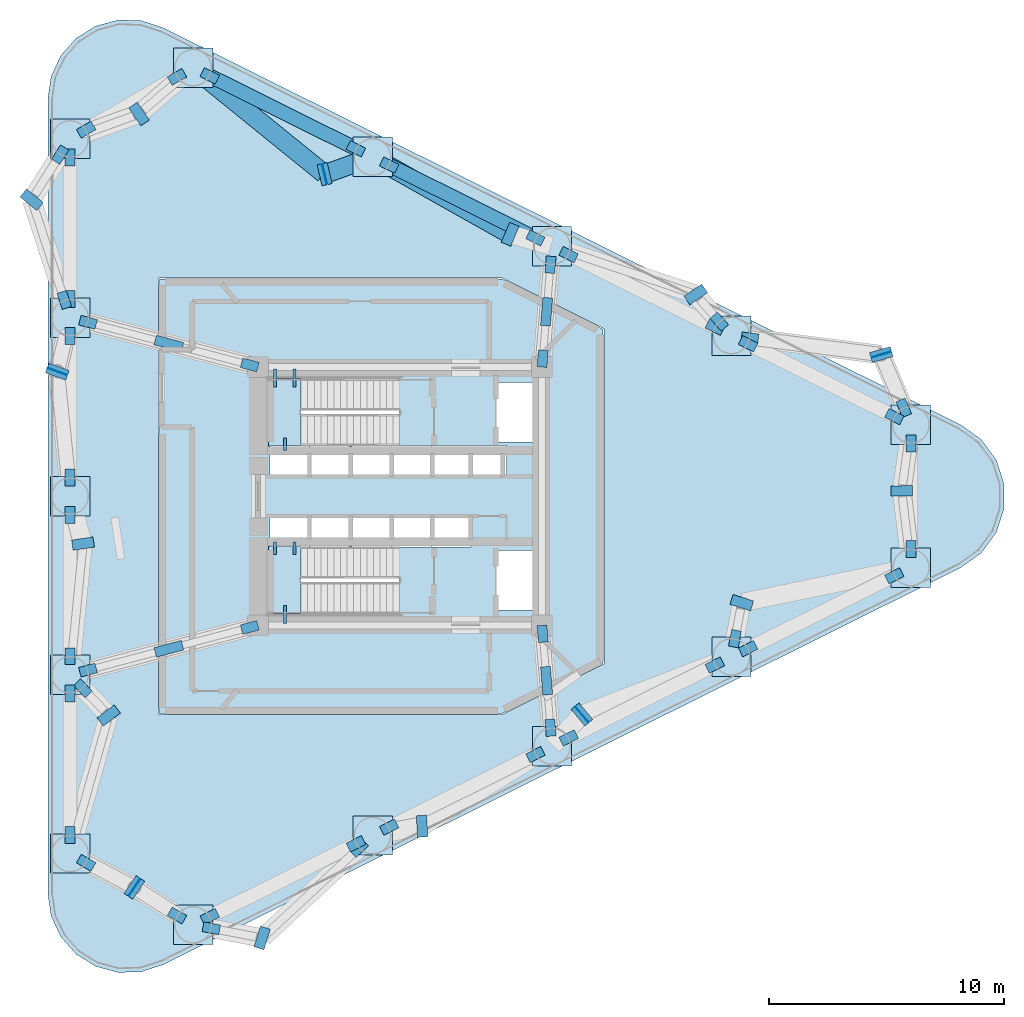
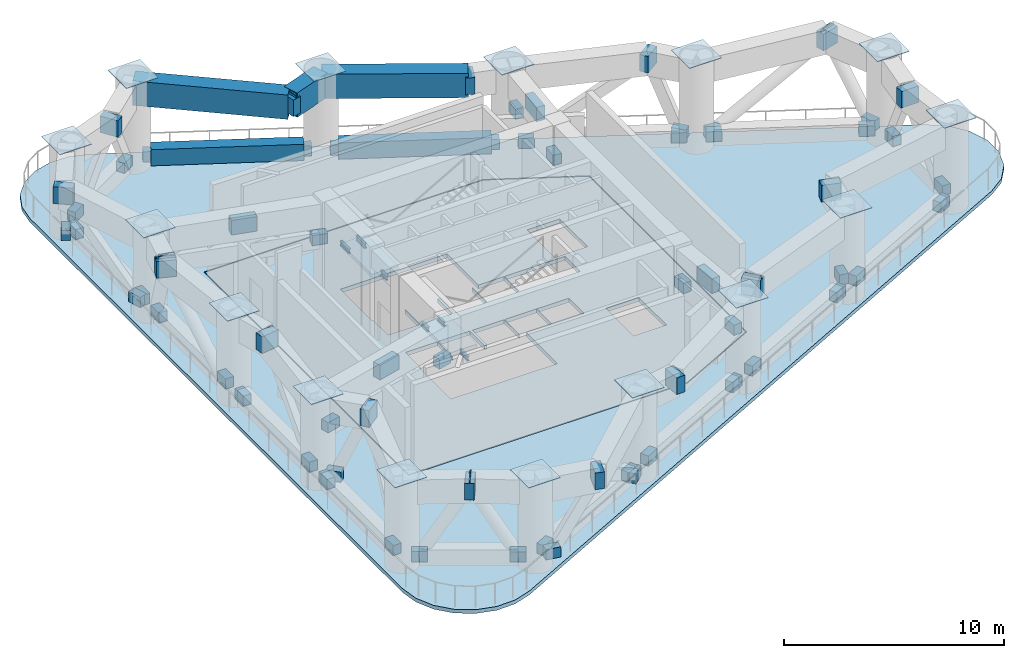
# One storey, part 3 of 8: 86 plates, 9 beams, 4 slabs, 2 members, 2 elements without a shape of their own.
"""IFC4 building model written with IfcOpenShell, lengths in metres."""

from ifc_helpers import new_model, si_unit, direction, frame, origin, origin_2d, place, context, subcontext, project, spatial, polyline, rectangle, hollow_rectangle, i_section, outline, extrude, source, transform, mapped, material, layer, layer_set, material_profile, profile_set, type_object, element, aggregate, save


model = new_model("IFC4")

# Units and contexts
model_context = context("Model", 3, precision=1e-05, world=origin(), true_north=direction((0.0, 1.0)))
body_context = subcontext(model_context, "Body", "Model", "MODEL_VIEW")
ifc_project = project(units=[si_unit("LENGTHUNIT", "METRE"), si_unit("AREAUNIT", "SQUARE_METRE"), si_unit("VOLUMEUNIT", "CUBIC_METRE"), si_unit("PLANEANGLEUNIT", "RADIAN"), si_unit("MASSUNIT", "GRAM", prefix="KILO")], contexts=[model_context])

# Site, building, storey
site_placement = place(None, origin())
site = spatial("IfcSite", under=ifc_project, at=site_placement, CompositionType="ELEMENT")
building_placement = place(site_placement, origin())
building = spatial("IfcBuilding", under=site, at=building_placement, Name="Yunling Apex Tower", CompositionType="ELEMENT")
storey_placement = place(building_placement, frame((0.0, 0.0, 49.699951171875)))
storey = spatial("IfcBuildingStorey", under=building, at=storey_placement, Name="RF1", CompositionType="ELEMENT", Elevation=49.699951171875)

# Beams
ifc_material_1 = material(Name="Steel Q355B", Category="steel")
ifc_material_profile_1 = material_profile(ifc_material_1, i_section(OverallWidth=0.125, OverallDepth=0.25, WebThickness=0.006103515625, FlangeThickness=0.009033203125, FilletRadius=0.011962890625, at=origin_2d()))
ifc_profile_set_1 = profile_set([ifc_material_profile_1], Name="Steel Q355B")
beam_type_1 = type_object("IfcBeamType", Name="BL-LNT-1", PredefinedType="LINTEL", material=ifc_profile_set_1)
shared_shape_1 = source(origin(), body_context, "Body", "SweptSolid", [
    extrude(i_section(OverallWidth=0.125, OverallDepth=0.25, WebThickness=0.006103515625, FlangeThickness=0.009033203125, FilletRadius=0.011962890625, at=origin_2d()), origin(), (0.0, 0.0, 1.0), 0.760009765625),
])
for number, where, z_axis, x_axis, name in (
    (1, (-5.320068359375, 5.419921875, 2.22998046875), (0.0, -1.0, 0.0), (1.0, 0.0, 0.0), "RF1 ST-1 Landing Bearing Corbel 1-1"),
    (2, (-4.489990234375, 5.419921875, 2.22998046875), (0.0, -1.0, 0.0), (1.0, 0.0, 0.0), "RF1 ST-1 Landing Bearing Corbel 1-2"),
    (3, (-4.905029296875, -5.419921875, 2.22998046875), (0.0, 1.0, 0.0), (-1.0, 0.0, 0.0), "RF1 ST-2 Landing Bearing Corbel 1-3"),
):
    element("IfcBeam", number, at=place(storey_placement, frame(where, z_axis=z_axis, x_axis=x_axis)), inside=storey, type_object=beam_type_1, Name=name, PredefinedType="LINTEL", context=body_context, shape_type="MappedRepresentation", body=[
        mapped(shared_shape_1, transform((0.0, 0.0, 0.0), scale=1.0)),
    ])
shared_shape_2 = source(origin(), body_context, "Body", "SweptSolid", [
    extrude(i_section(OverallWidth=0.125, OverallDepth=0.25, WebThickness=0.006103515625, FlangeThickness=0.009033203125, FilletRadius=0.011962890625, at=origin_2d()), origin(), (0.0, 0.0, 1.0), 0.550048828125),
])
for number, where, z_axis, x_axis, name in (
    (4, (-4.905029296875, 1.93994140625, 2.22998046875), (0.0, 1.0, 0.0), (-1.0, 0.0, 0.0), "RF1 ST-1 Landing Bearing Corbel 1-3"),
    (5, (-5.320068359375, -1.93994140625, 2.22998046875), (0.0, -1.0, 0.0), (1.0, 0.0, 0.0), "RF1 ST-2 Landing Bearing Corbel 1-1"),
    (6, (-4.489990234375, -1.93994140625, 2.22998046875), (0.0, -1.0, 0.0), (1.0, 0.0, 0.0), "RF1 ST-2 Landing Bearing Corbel 1-2"),
):
    element("IfcBeam", number, at=place(storey_placement, frame(where, z_axis=z_axis, x_axis=x_axis)), inside=storey, type_object=beam_type_1, Name=name, PredefinedType="LINTEL", context=body_context, shape_type="MappedRepresentation", body=[
        mapped(shared_shape_2, transform((0.0, 0.0, 0.0), scale=1.0)),
    ])

# Members
ifc_material_2 = material(Name="Steel Q390GJC", Category="steel")
ifc_material_profile_2 = material_profile(ifc_material_2, hollow_rectangle(XDim=0.60009765625, YDim=0.89990234375, WallThickness=0.0419921875, at=origin_2d()))
ifc_profile_set_2 = profile_set([ifc_material_profile_2], Name="Steel Q390GJC")
member_type = type_object("IfcMemberType", Name="BT-CHD-1", PredefinedType="CHORD", material=ifc_profile_set_2)
shared_shape_3 = source(origin(), body_context, "Body", "SweptSolid", [
    extrude(hollow_rectangle(XDim=0.60009765625, YDim=0.89990234375, WallThickness=0.0419921875, at=origin_2d()), origin(), (0.0, 0.0, 1.0), 6.954833984375),
])
for number, where, z_axis, x_axis, name in (
    (7, (5.768310546875, 11.001220703125, 0.550048828125), (-0.895247106475, 0.445569992647, 0.0), (-0.445569992647, -0.895247106475, 0.0), "RF1 Belt-Truss Bottom Chord 8"),
    (8, (-1.876220703125, 14.805908203125, 0.550048828125), (-0.895247106475, 0.445569992647, 0.0), (-0.445569992647, -0.895247106475, 0.0), "RF1 Belt-Truss Bottom Chord 9"),
):
    element("IfcMember", number, at=place(storey_placement, frame(where, z_axis=z_axis, x_axis=x_axis)), inside=storey, type_object=member_type, Name=name, PredefinedType="CHORD", context=body_context, shape_type="MappedRepresentation", body=[
        mapped(shared_shape_3, transform((0.0, 0.0, 0.0), scale=1.0)),
    ])

# Beams
ifc_material_profile_3 = material_profile(ifc_material_2, hollow_rectangle(XDim=0.800048828125, YDim=1.35009765625, WallThickness=0.050048828125, at=origin_2d()))
ifc_profile_set_3 = profile_set([ifc_material_profile_3], Name="Steel Q390GJC")
beam_type_2 = type_object("IfcBeamType", Name="BTRNG-1", PredefinedType="USERDEFINED", material=ifc_profile_set_3)
shared_shape_4 = source(origin(), body_context, "Body", "SweptSolid", [
    extrude(hollow_rectangle(XDim=0.800048828125, YDim=1.35009765625, WallThickness=0.050048828125, at=origin_2d()), origin(), (0.0, 0.0, 1.0), 6.64501953125),
])
beam_1_placement = place(storey_placement, frame((4.659912109375, 11.176513671875, 4.239990234375), z_axis=(-0.871634403046, 0.490156574399, 0.0), x_axis=(-0.490156574399, -0.871634403046, 0.0)))
element("IfcBeam", 9, at=beam_1_placement, inside=storey, type_object=beam_type_2, Name="RF1 Panel-Split Box Ring Transfer Girder 21", ObjectType="GIRDER", PredefinedType="USERDEFINED", context=body_context, shape_type="MappedRepresentation", body=[
    mapped(shared_shape_4, transform((0.0, 0.0, 0.0), scale=1.0)),
])
shared_shape_5 = source(origin(), body_context, "Body", "SweptSolid", [
    extrude(hollow_rectangle(XDim=0.800048828125, YDim=1.35009765625, WallThickness=0.050048828125, at=origin_2d()), origin(), (0.0, 0.0, 1.0), 2.0908203125),
])
beam_2_placement = place(storey_placement, frame((-1.20458984375, 14.439697265625, 4.239990234375), z_axis=(-0.941082265332, -0.33817771937, 0.0), x_axis=(0.33817771937, -0.941082265332, 0.0)))
element("IfcBeam", 10, at=beam_2_placement, inside=storey, type_object=beam_type_2, Name="RF1 Panel-Split Box Ring Transfer Girder 22", ObjectType="GIRDER", PredefinedType="USERDEFINED", context=body_context, shape_type="MappedRepresentation", body=[
    mapped(shared_shape_5, transform((0.0, 0.0, 0.0), scale=1.0)),
])
shared_shape_6 = source(origin(), body_context, "Body", "SweptSolid", [
    extrude(hollow_rectangle(XDim=0.800048828125, YDim=1.35009765625, WallThickness=0.050048828125, at=origin_2d()), origin(), (0.0, 0.0, 1.0), 7.1298828125),
])
beam_3_placement = place(storey_placement, frame((-3.24072265625, 13.744384765625, 4.239990234375), z_axis=(-0.776992024757, 0.629510439519, 0.0), x_axis=(-0.629510439519, -0.776992024757, 0.0)))
element("IfcBeam", 11, at=beam_3_placement, inside=storey, type_object=beam_type_2, Name="RF1 Panel-Split Box Ring Transfer Girder 23", ObjectType="GIRDER", PredefinedType="USERDEFINED", context=body_context, shape_type="MappedRepresentation", body=[
    mapped(shared_shape_6, transform((0.0, 0.0, 0.0), scale=1.0)),
])

# Stair, slab
ifc_material_3 = material(Name="Concrete C40", Category="concrete")
stair_type = type_object("IfcStairType", Name="ST-TWR-1", PredefinedType="HALF_TURN_STAIR", material=ifc_material_3)
stair_1_placement = place(storey_placement, origin())
stair_1 = element("IfcStair", 12, at=stair_1_placement, inside=storey, type_object=stair_type, Name="RF1 North Core Smokeproof Exit Stair ST-1", PredefinedType="HALF_TURN_STAIR")
ifc_layer_1 = layer(ifc_material_3, 0.195068359375)
ifc_layer_set_1 = layer_set([ifc_layer_1], Name="Concrete C40")
slab_type_1 = type_object("IfcSlabType", Name="SL-LND-1", PredefinedType="LANDING", material=ifc_layer_set_1)
slab_1_placement = place(storey_placement, frame((0.0, 0.0, 2.35498046875)))
slab_1 = element("IfcSlab", 13, at=slab_1_placement, type_object=slab_type_1, Name="ST-1 landing 1", PredefinedType="LANDING", context=body_context, shape_type="SweptSolid", body=[
    extrude(outline(polyline([(-4.2099609375, 5.010009765625), (-5.60009765625, 5.010009765625), (-5.60009765625, 2.139892578125), (-4.2099609375, 2.139892578125), (-4.2099609375, 5.010009765625)])), origin(), (0.0, 0.0, 1.0), 0.195068359375),
])
aggregate(stair_1, [slab_1])

stair_2_placement = place(storey_placement, origin())
stair_2 = element("IfcStair", 14, at=stair_2_placement, inside=storey, type_object=stair_type, Name="RF1 South Core Smokeproof Exit Stair ST-2", PredefinedType="HALF_TURN_STAIR")
slab_2_placement = place(storey_placement, frame((0.0, 0.0, 2.35498046875)))
slab_2 = element("IfcSlab", 15, at=slab_2_placement, type_object=slab_type_1, Name="ST-2 landing 1", PredefinedType="LANDING", context=body_context, shape_type="SweptSolid", body=[
    extrude(outline(polyline([(-4.2099609375, -2.139892578125), (-5.60009765625, -2.139892578125), (-5.60009765625, -5.010009765625), (-4.2099609375, -5.010009765625), (-4.2099609375, -2.139892578125)])), origin(), (0.0, 0.0, 1.0), 0.195068359375),
])
aggregate(stair_2, [slab_2])

# Slabs
ifc_layer_2 = layer(ifc_material_3, 0.219970703125)
ifc_layer_set_2 = layer_set([ifc_layer_2], Name="Concrete C40")
slab_type_2 = type_object("IfcSlabType", Name="SL-RFG-1", PredefinedType="FLOOR", material=ifc_layer_set_2)
slab_3_placement = place(storey_placement, frame((0.0, 0.0, -0.219970703125)))
element("IfcSlab", 16, at=slab_3_placement, inside=storey, type_object=slab_type_2, Name="RF1 Mechanical & Belt-Truss Interior Slab", PredefinedType="FLOOR", context=body_context, shape_type="SweptSolid", body=[
    extrude(outline(polyline([(8.64990234375, 7.109619140625), (4.349365234375, 9.25), (-10.25, 9.25), (-10.25, -9.25), (4.349365234375, -9.25), (8.64990234375, -7.109619140625), (8.64990234375, 7.109619140625)]), holes=[polyline([(5.81005859375, -2.320068359375), (5.81005859375, -4.840087890625), (4.090087890625, -4.840087890625), (4.090087890625, -2.320068359375), (5.81005859375, -2.320068359375)]), polyline([(5.81005859375, 4.840087890625), (5.81005859375, 2.320068359375), (4.090087890625, 2.320068359375), (4.090087890625, 4.840087890625), (5.81005859375, 4.840087890625)]), polyline([(1.364990234375, 2.1650390625), (4.534912109375, 2.1650390625), (4.534912109375, 0.794921875), (1.364990234375, 0.794921875), (1.364990234375, 2.1650390625)]), polyline([(3.034912109375, -0.794921875), (3.034912109375, -2.1650390625), (1.364990234375, -2.1650390625), (1.364990234375, -0.794921875), (3.034912109375, -0.794921875)]), polyline([(-5.534912109375, -0.794921875), (-3.864990234375, -0.794921875), (-3.864990234375, -2.139892578125), (-3.8349609375, -2.139892578125), (-3.8349609375, -0.794921875), (-2.1650390625, -0.794921875), (-2.1650390625, -2.139892578125), (-2.034912109375, -2.139892578125), (-2.034912109375, -0.794921875), (-0.364990234375, -0.794921875), (-0.364990234375, -2.139892578125), (-0.3349609375, -2.139892578125), (-0.3349609375, -0.794921875), (1.3349609375, -0.794921875), (1.3349609375, -2.1650390625), (-0.010009765625, -2.1650390625), (-0.010009765625, -5.010009765625), (-5.60009765625, -5.010009765625), (-5.60009765625, -2.139892578125), (-5.534912109375, -2.139892578125), (-5.534912109375, -0.794921875)]), polyline([(-5.60009765625, 2.139892578125), (-5.60009765625, 5.010009765625), (-0.010009765625, 5.010009765625), (-0.010009765625, 2.1650390625), (1.3349609375, 2.1650390625), (1.3349609375, 0.794921875), (-0.3349609375, 0.794921875), (-0.3349609375, 2.139892578125), (-0.364990234375, 2.139892578125), (-0.364990234375, 0.794921875), (-2.034912109375, 0.794921875), (-2.034912109375, 2.139892578125), (-2.1650390625, 2.139892578125), (-2.1650390625, 0.794921875), (-3.8349609375, 0.794921875), (-3.8349609375, 2.139892578125), (-3.864990234375, 2.139892578125), (-3.864990234375, 0.794921875), (-5.534912109375, 0.794921875), (-5.534912109375, 2.139892578125), (-5.60009765625, 2.139892578125)])]), origin(), (0.0, 0.0, 1.0), 0.219970703125),
])
ifc_layer_3 = layer(ifc_material_3, 0.2099609375)
ifc_layer_set_3 = layer_set([ifc_layer_3], Name="Concrete C40")
slab_type_3 = type_object("IfcSlabType", Name="SL-RFG-EXT", PredefinedType="FLOOR", material=ifc_layer_set_3)
slab_4_placement = place(storey_placement, frame((0.0, 0.0, -0.2099609375)))
element("IfcSlab", 17, at=slab_4_placement, inside=storey, type_object=slab_type_3, Name="RF1 Open Refuge Perimeter Terrace Band", PredefinedType="FLOOR", context=body_context, shape_type="SweptSolid", body=[
    extrude(outline(polyline([(-15.001953125, -16.909912109375), (-14.859619140625, -17.88330078125), (-14.444580078125, -18.775390625), (-13.79150390625, -19.510986328125), (-12.955078125, -20.029052734375), (-12.00537109375, -20.285888671875), (-11.02197265625, -20.260009765625), (-10.0869140625, -19.953857421875), (23.88818359375, -3.043701171875), (24.76123046875, -2.42041015625), (25.396484375, -1.555908203125), (25.730712890625, -0.536376953125), (25.730712890625, 0.536376953125), (25.396484375, 1.555908203125), (24.76123046875, 2.42041015625), (23.88818359375, 3.043701171875), (-10.0869140625, 19.953857421875), (-11.02197265625, 20.260009765625), (-12.00537109375, 20.285888671875), (-12.955078125, 20.029052734375), (-13.79150390625, 19.510986328125), (-14.444580078125, 18.775390625), (-14.859619140625, 17.88330078125), (-15.001953125, 16.909912109375), (-15.001953125, -16.909912109375)]), holes=[polyline([(4.35888671875, -9.2900390625), (-10.2900390625, -9.2900390625), (-10.2900390625, 9.2900390625), (4.35888671875, 9.2900390625), (8.68994140625, 7.13427734375), (8.68994140625, -7.13427734375), (4.35888671875, -9.2900390625)])]), origin(), (0.0, 0.0, 1.0), 0.2099609375),
])

# Plates
ifc_layer_4 = layer(ifc_material_1, 0.030029296875)
ifc_layer_set_4 = layer_set([ifc_layer_4], Name="Steel Q355B")
plate_type_1 = type_object("IfcPlateType", Name="NP-CAP-1", PredefinedType="USERDEFINED", material=ifc_layer_set_4)
shared_shape_7 = source(origin(), body_context, "Body", "SweptSolid", [
    extrude(rectangle(XDim=1.679931640625, YDim=1.679931640625, at=origin_2d()), origin(), (0.0, 0.0, 1.0), 0.035888671875),
])
for number, where, z_axis, x_axis, name in (
    (18, (-8.8115234375, -18.2578125, 4.9970703125), (0.0, 0.0, 1.0), (1.0, 0.0, 0.0), "RF1 Lower-Block CFST Column Top Cap Plate P01"),
    (19, (-1.1669921875, -14.453125, 4.9970703125), (0.0, 0.0, 1.0), (1.0, 0.0, 0.0), "RF1 Lower-Block CFST Column Top Cap Plate P02"),
    (20, (6.477294921875, -10.648193359375, 4.9970703125), (0.0, 0.0, 1.0), (1.0, 0.0, 0.0), "RF1 Lower-Block CFST Column Top Cap Plate P03"),
    (21, (14.121826171875, -6.843505859375, 4.9970703125), (0.0, 0.0, 1.0), (1.0, 0.0, 0.0), "RF1 Lower-Block CFST Column Top Cap Plate P04"),
    (22, (21.76611328125, -3.038818359375, 4.9970703125), (0.0, 0.0, 1.0), (1.0, 0.0, 0.0), "RF1 Lower-Block CFST Column Top Cap Plate P05"),
    (23, (21.76611328125, 3.038818359375, 4.9970703125), (0.0, 0.0, 1.0), (1.0, 0.0, 0.0), "RF1 Lower-Block CFST Column Top Cap Plate P06"),
    (24, (14.121826171875, 6.843505859375, 4.9970703125), (0.0, 0.0, 1.0), (1.0, 0.0, 0.0), "RF1 Lower-Block CFST Column Top Cap Plate P07"),
    (25, (6.477294921875, 10.648193359375, 4.9970703125), (0.0, 0.0, 1.0), (1.0, 0.0, 0.0), "RF1 Lower-Block CFST Column Top Cap Plate P08"),
    (26, (-1.1669921875, 14.453125, 4.9970703125), (0.0, 0.0, 1.0), (1.0, 0.0, 0.0), "RF1 Lower-Block CFST Column Top Cap Plate P09"),
    (27, (-8.8115234375, 18.2578125, 4.9970703125), (0.0, 0.0, 1.0), (1.0, 0.0, 0.0), "RF1 Lower-Block CFST Column Top Cap Plate P10"),
    (28, (-14.052001953125, 15.218994140625, 4.9970703125), (0.0, 0.0, 1.0), (1.0, 0.0, 0.0), "RF1 Lower-Block CFST Column Top Cap Plate P11"),
    (29, (-14.052001953125, 7.609619140625, 4.9970703125), (0.0, 0.0, 1.0), (1.0, 0.0, 0.0), "RF1 Lower-Block CFST Column Top Cap Plate P12"),
    (30, (-14.052001953125, 0.0, 4.9970703125), (0.0, 0.0, 1.0), (1.0, 0.0, 0.0), "RF1 Lower-Block CFST Column Top Cap Plate P13"),
    (31, (-14.052001953125, -7.609619140625, 4.9970703125), (0.0, 0.0, 1.0), (1.0, 0.0, 0.0), "RF1 Lower-Block CFST Column Top Cap Plate P14"),
    (32, (-14.052001953125, -15.218994140625, 4.9970703125), (0.0, 0.0, 1.0), (1.0, 0.0, 0.0), "RF1 Lower-Block CFST Column Top Cap Plate P15"),
):
    element("IfcPlate", number, at=place(storey_placement, frame(where, z_axis=z_axis, x_axis=x_axis)), inside=storey, type_object=plate_type_1, Name=name, ObjectType="CAP_PLATE", PredefinedType="USERDEFINED", context=body_context, shape_type="MappedRepresentation", body=[
        mapped(shared_shape_7, transform((0.0, 0.0, 0.0), scale=1.0)),
    ])
ifc_layer_5 = layer(ifc_material_1, 0.035888671875)
ifc_layer_set_5 = layer_set([ifc_layer_5], Name="Steel Q355B")
plate_type_2 = type_object("IfcPlateType", Name="NP-GUS-1", PredefinedType="USERDEFINED", material=ifc_layer_set_5)
shared_shape_8 = source(origin(), body_context, "Body", "SweptSolid", [
    extrude(rectangle(XDim=0.719970703125, YDim=0.419921875, at=origin_2d()), origin(), (0.0, 0.0, 1.0), 0.56005859375),
])
for number, where, z_axis, x_axis, name in (
    (33, (-8.1025390625, -17.90478515625, 0.27001953125), (0.0, 0.0, 1.0), (0.895245648325, 0.445572922377, 0.0), "RF1 Belt Chord End Gusset Plate 1"),
    (34, (-1.876220703125, -14.805908203125, 0.27001953125), (0.0, 0.0, 1.0), (0.895245648325, 0.445572922377, 0.0), "RF1 Belt Chord End Gusset Plate 2"),
    (35, (-0.4580078125, -14.10009765625, 0.27001953125), (0.0, 0.0, 1.0), (0.895245648325, 0.445572922377, 0.0), "RF1 Belt Chord End Gusset Plate 3"),
    (36, (5.768310546875, -11.001220703125, 0.27001953125), (0.0, 0.0, 1.0), (0.895245648325, 0.445572922377, 0.0), "RF1 Belt Chord End Gusset Plate 4"),
    (37, (7.186279296875, -10.29541015625, 0.27001953125), (0.0, 0.0, 1.0), (0.895245648325, 0.445572922377, 0.0), "RF1 Belt Chord End Gusset Plate 5"),
    (38, (13.412841796875, -7.196533203125, 0.27001953125), (0.0, 0.0, 1.0), (0.895245648325, 0.445572922377, 0.0), "RF1 Belt Chord End Gusset Plate 6"),
    (39, (14.830810546875, -6.49072265625, 0.27001953125), (0.0, 0.0, 1.0), (0.895245648325, 0.445572922377, 0.0), "RF1 Belt Chord End Gusset Plate 7"),
    (40, (21.05712890625, -3.3916015625, 0.27001953125), (0.0, 0.0, 1.0), (0.895245648325, 0.445572922377, 0.0), "RF1 Belt Chord End Gusset Plate 8"),
    (41, (21.76611328125, -2.246826171875, 0.27001953125), (0.0, 0.0, 1.0), (0.0, 1.0, 0.0), "RF1 Belt Chord End Gusset Plate 9"),
    (42, (21.76611328125, 2.246826171875, 0.27001953125), (0.0, 0.0, 1.0), (0.0, 1.0, 0.0), "RF1 Belt Chord End Gusset Plate 10"),
    (43, (21.05712890625, 3.3916015625, 0.27001953125), (0.0, 0.0, 1.0), (-0.895245648325, 0.445572922377, 0.0), "RF1 Belt Chord End Gusset Plate 11"),
    (44, (14.830810546875, 6.49072265625, 0.27001953125), (0.0, 0.0, 1.0), (-0.895245648325, 0.445572922377, 0.0), "RF1 Belt Chord End Gusset Plate 12"),
    (45, (13.412841796875, 7.196533203125, 0.27001953125), (0.0, 0.0, 1.0), (-0.895245648325, 0.445572922377, 0.0), "RF1 Belt Chord End Gusset Plate 13"),
    (46, (7.186279296875, 10.29541015625, 0.27001953125), (0.0, 0.0, 1.0), (-0.895245648325, 0.445572922377, 0.0), "RF1 Belt Chord End Gusset Plate 14"),
    (47, (5.768310546875, 11.001220703125, 0.27001953125), (0.0, 0.0, 1.0), (-0.895245648325, 0.445572922377, 0.0), "RF1 Belt Chord End Gusset Plate 15"),
    (48, (-0.4580078125, 14.10009765625, 0.27001953125), (0.0, 0.0, 1.0), (-0.895245648325, 0.445572922377, 0.0), "RF1 Belt Chord End Gusset Plate 16"),
    (49, (-1.876220703125, 14.805908203125, 0.27001953125), (0.0, 0.0, 1.0), (-0.895245648325, 0.445572922377, 0.0), "RF1 Belt Chord End Gusset Plate 17"),
    (50, (-8.1025390625, 17.90478515625, 0.27001953125), (0.0, 0.0, 1.0), (-0.895245648325, 0.445572922377, 0.0), "RF1 Belt Chord End Gusset Plate 18"),
    (51, (-9.49658203125, 17.860595703125, 0.27001953125), (0.0, 0.0, 1.0), (-0.865063877257, -0.501661726928, 0.0), "RF1 Belt Chord End Gusset Plate 19"),
    (52, (-13.366943359375, 15.6162109375, 0.27001953125), (0.0, 0.0, 1.0), (-0.865063877257, -0.501661726928, 0.0), "RF1 Belt Chord End Gusset Plate 20"),
    (53, (-14.052001953125, 14.427001953125, 0.27001953125), (0.0, 0.0, 1.0), (0.0, -1.0, 0.0), "RF1 Belt Chord End Gusset Plate 21"),
    (54, (-14.052001953125, 8.401611328125, 0.27001953125), (0.0, 0.0, 1.0), (0.0, -1.0, 0.0), "RF1 Belt Chord End Gusset Plate 22"),
    (55, (-14.052001953125, 6.8173828125, 0.27001953125), (0.0, 0.0, 1.0), (0.0, -1.0, 0.0), "RF1 Belt Chord End Gusset Plate 23"),
    (56, (-14.052001953125, 0.7919921875, 0.27001953125), (0.0, 0.0, 1.0), (0.0, -1.0, 0.0), "RF1 Belt Chord End Gusset Plate 24"),
    (57, (-14.052001953125, -0.7919921875, 0.27001953125), (0.0, 0.0, 1.0), (0.0, -1.0, 0.0), "RF1 Belt Chord End Gusset Plate 25"),
    (58, (-14.052001953125, -6.8173828125, 0.27001953125), (0.0, 0.0, 1.0), (0.0, -1.0, 0.0), "RF1 Belt Chord End Gusset Plate 26"),
    (59, (-14.052001953125, -8.401611328125, 0.27001953125), (0.0, 0.0, 1.0), (0.0, -1.0, 0.0), "RF1 Belt Chord End Gusset Plate 27"),
    (60, (-14.052001953125, -14.427001953125, 0.27001953125), (0.0, 0.0, 1.0), (0.0, -1.0, 0.0), "RF1 Belt Chord End Gusset Plate 28"),
    (61, (-13.366943359375, -15.6162109375, 0.27001953125), (0.0, 0.0, 1.0), (0.865063877257, -0.501661726928, 0.0), "RF1 Belt Chord End Gusset Plate 29"),
    (62, (-9.49658203125, -17.860595703125, 0.27001953125), (0.0, 0.0, 1.0), (0.865063877257, -0.501661726928, 0.0), "RF1 Belt Chord End Gusset Plate 30"),
    (63, (-8.035400390625, -18.406005859375, 0.27001953125), (0.0, 0.0, 1.0), (0.982287250729, -0.187381314586, 0.0), "RF1 Belt Diagonal Foot Gusset Plate 31"),
    (64, (-1.745849609375, -14.99072265625, 0.27001953125), (0.0, 0.0, 1.0), (-0.732661695834, -0.680593005737, 0.0), "RF1 Belt Diagonal Foot Gusset Plate 32"),
    (65, (14.26953125, -6.067626953125, 0.27001953125), (0.0, 0.0, 1.0), (0.187209870265, 0.982319939976, 0.0), "RF1 Belt Diagonal Foot Gusset Plate 33"),
    (66, (21.459228515625, 3.7666015625, 0.27001953125), (0.0, 0.0, 1.0), (-0.388641565272, 0.921389024106, 0.0), "RF1 Belt Diagonal Foot Gusset Plate 34"),
    (67, (14.905517578125, 6.743896484375, 0.27001953125), (0.0, 0.0, 1.0), (0.992026960446, -0.126025829689, 0.0), "RF1 Belt Diagonal Foot Gusset Plate 35"),
    (68, (13.603515625, 7.439697265625, 0.27001953125), (0.0, 0.0, 1.0), (-0.656190740668, 0.754595064827, 0.0), "RF1 Belt Diagonal Foot Gusset Plate 36"),
    (69, (-14.47412109375, 14.55126953125, 0.27001953125), (0.0, 0.0, 1.0), (-0.53435234939, -0.845261833222, 0.0), "RF1 Belt Diagonal Foot Gusset Plate 37"),
    (70, (-14.296875, 8.360595703125, 0.27001953125), (0.0, 0.0, 1.0), (-0.31001276881, 0.950732393039, 0.0), "RF1 Belt Diagonal Foot Gusset Plate 38"),
    (71, (-13.507568359375, -8.181884765625, 0.27001953125), (0.0, 0.0, 1.0), (0.689113808387, -0.724653130187, 0.0), "RF1 Belt Diagonal Foot Gusset Plate 39"),
):
    element("IfcPlate", number, at=place(storey_placement, frame(where, z_axis=z_axis, x_axis=x_axis)), inside=storey, type_object=plate_type_2, Name=name, ObjectType="GUSSET_PLATE", PredefinedType="USERDEFINED", context=body_context, shape_type="MappedRepresentation", body=[
        mapped(shared_shape_8, transform((0.0, 0.0, 0.0), scale=1.0)),
    ])
shared_shape_9 = source(origin(), body_context, "Body", "SweptSolid", [
    extrude(rectangle(XDim=0.919921875, YDim=0.43994140625, at=origin_2d()), origin(), (0.0, 0.0, 1.0), 0.919921875),
])
for number, where, z_axis, x_axis, name in (
    (72, (-5.8681640625, -18.8193359375, 3.780029296875), (0.0, 0.0, 1.0), (-0.297708130344, -0.954656937924, 0.0), "RF1 Belt-Truss Node Gusset Plate 1"),
    (73, (0.941650390625, -14.05810546875, 3.780029296875), (0.0, 0.0, 1.0), (0.066796338919, -0.997766630584, 0.0), "RF1 Belt-Truss Node Gusset Plate 2"),
    (74, (7.751708984375, -9.296875, 3.780029296875), (0.0, 0.0, 1.0), (0.640377842023, -0.768060036355, 0.0), "RF1 Belt-Truss Node Gusset Plate 3"),
    (75, (14.5615234375, -4.535400390625, 3.780029296875), (0.0, 0.0, 1.0), (0.954760799503, -0.297374874078, 0.0), "RF1 Belt-Truss Node Gusset Plate 4"),
    (76, (21.371337890625, 0.225830078125, 3.780029296875), (0.0, 0.0, 1.0), (0.999943326464, 0.010646307311, 0.0), "RF1 Belt-Truss Node Gusset Plate 5"),
    (77, (20.50341796875, 6.032470703125, 3.780029296875), (0.0, 0.0, 1.0), (0.959363237809, 0.282174020669, 0.0), "RF1 Belt-Truss Node Gusset Plate 6"),
    (78, (12.59912109375, 8.594482421875, 3.780029296875), (0.0, 0.0, 1.0), (0.826098294496, 0.563526048938, 0.0), "RF1 Belt-Truss Node Gusset Plate 7"),
    (79, (4.69482421875, 11.15673828125, 3.780029296875), (0.0, 0.0, 1.0), (0.387837353782, 0.92172782697, 0.0), "RF1 Belt-Truss Node Gusset Plate 8"),
    (80, (-3.209716796875, 13.718994140625, 3.780029296875), (0.0, 0.0, 1.0), (-0.227841074111, 0.973698333648, 0.0), "RF1 Belt-Truss Node Gusset Plate 9"),
    (81, (-11.114013671875, 16.28125, 3.780029296875), (0.0, 0.0, 1.0), (-0.563814377303, 0.825901536471, 0.0), "RF1 Belt-Truss Node Gusset Plate 10"),
    (82, (-15.689208984375, 12.62939453125, 3.780029296875), (0.0, 0.0, 1.0), (-0.779009769128, 0.627011785857, 0.0), "RF1 Belt-Truss Node Gusset Plate 11"),
    (83, (-14.594482421875, 5.305908203125, 3.780029296875), (0.0, 0.0, 1.0), (-0.939811951086, 0.341692107891, 0.0), "RF1 Belt-Truss Node Gusset Plate 12"),
    (84, (-13.5, -2.017578125, 3.780029296875), (0.0, 0.0, 1.0), (-0.989015863362, -0.14780941113, 0.0), "RF1 Belt-Truss Node Gusset Plate 13"),
    (85, (-12.405517578125, -9.341064453125, 3.780029296875), (0.0, 0.0, 1.0), (-0.79884553446, -0.60153621011, 0.0), "RF1 Belt-Truss Node Gusset Plate 14"),
    (86, (-11.31103515625, -16.66455078125, 3.780029296875), (0.0, 0.0, 1.0), (-0.561650242447, -0.827374767055, 0.0), "RF1 Belt-Truss Node Gusset Plate 15"),
):
    element("IfcPlate", number, at=place(storey_placement, frame(where, z_axis=z_axis, x_axis=x_axis)), inside=storey, type_object=plate_type_2, Name=name, ObjectType="GUSSET_PLATE", PredefinedType="USERDEFINED", context=body_context, shape_type="MappedRepresentation", body=[
        mapped(shared_shape_9, transform((0.0, 0.0, 0.0), scale=1.0)),
    ])
shared_shape_10 = source(origin(), body_context, "Body", "SweptSolid", [
    extrude(rectangle(XDim=0.85009765625, YDim=0.030029296875, at=origin_2d()), origin(), (0.0, 0.0, 1.0), 0.85009765625),
])
for number, where, z_axis, x_axis, name in (
    (87, (7.751708984375, -9.296875, 3.965087890625), (0.0, 0.0, 1.0), (0.640377842023, -0.768060036355, 0.0), "RF1 Box Ring Girder End Cap Plate 3"),
    (88, (20.50341796875, 6.032470703125, 3.965087890625), (0.0, 0.0, 1.0), (0.959363237809, 0.282174020669, 0.0), "RF1 Box Ring Girder End Cap Plate 6"),
    (89, (-3.209716796875, 13.718994140625, 3.965087890625), (0.0, 0.0, 1.0), (-0.227841074111, 0.973698333648, 0.0), "RF1 Box Ring Girder End Cap Plate 9"),
    (90, (-14.594482421875, 5.305908203125, 3.965087890625), (0.0, 0.0, 1.0), (-0.939811951086, 0.341692107891, 0.0), "RF1 Box Ring Girder End Cap Plate 12"),
    (91, (-11.31103515625, -16.66455078125, 3.965087890625), (0.0, 0.0, 1.0), (-0.561650242447, -0.827374767055, 0.0), "RF1 Box Ring Girder End Cap Plate 15"),
):
    element("IfcPlate", number, at=place(storey_placement, frame(where, z_axis=z_axis, x_axis=x_axis)), inside=storey, type_object=plate_type_1, Name=name, ObjectType="CAP_PLATE", PredefinedType="USERDEFINED", context=body_context, shape_type="MappedRepresentation", body=[
        mapped(shared_shape_10, transform((0.0, 0.0, 0.0), scale=1.0)),
    ])
ifc_layer_6 = layer(ifc_material_1, 0.031982421875)
ifc_layer_set_6 = layer_set([ifc_layer_6], Name="Steel Q355B")
plate_type_3 = type_object("IfcPlateType", Name="NP-GUS-2", PredefinedType="USERDEFINED", material=ifc_layer_set_6)
shared_shape_11 = source(origin(), body_context, "Body", "SweptSolid", [
    extrude(rectangle(XDim=1.199951171875, YDim=0.419921875, at=origin_2d()), origin(), (0.0, 0.0, 1.0), 0.800048828125),
])
for number, where, z_axis, x_axis, name in (
    (92, (-9.843017578125, -6.5, 3.83984375), (0.0, 0.0, 1.0), (-0.966957007154, -0.2549394954, 0.0), "RF1 Outrigger Mid-Top Gusset Plate 1"),
    (93, (6.245849609375, -7.85986328125, 3.83984375), (0.0, 0.0, 1.0), (0.082808207512, -0.996565502498, 0.0), "RF1 Outrigger Mid-Top Gusset Plate 2"),
    (94, (6.245849609375, 7.85986328125, 3.83984375), (0.0, 0.0, 1.0), (0.082808207512, 0.996565502498, 0.0), "RF1 Outrigger Mid-Top Gusset Plate 3"),
    (95, (-9.843017578125, 6.5, 3.83984375), (0.0, 0.0, 1.0), (-0.966957007154, 0.2549394954, 0.0), "RF1 Outrigger Mid-Top Gusset Plate 4"),
):
    element("IfcPlate", number, at=place(storey_placement, frame(where, z_axis=z_axis, x_axis=x_axis)), inside=storey, type_object=plate_type_3, Name=name, ObjectType="GUSSET_PLATE", PredefinedType="USERDEFINED", context=body_context, shape_type="MappedRepresentation", body=[
        mapped(shared_shape_11, transform((0.0, 0.0, 0.0), scale=1.0)),
    ])
shared_shape_12 = source(origin(), body_context, "Body", "SweptSolid", [
    extrude(rectangle(XDim=0.719970703125, YDim=0.419921875, at=origin_2d()), origin(), (0.0, 0.0, 1.0), 0.56005859375),
])
for number, where, z_axis, x_axis, name in (
    (96, (-6.398193359375, -5.591796875, 2.5400390625), (0.0, 0.0, 1.0), (-0.966957007154, -0.2549394954, 0.0), "RF1 Outrigger Core Embed Gusset Plate 40"),
    (97, (-13.2880859375, -7.408203125, 2.5400390625), (0.0, 0.0, 1.0), (-0.966957007154, -0.2549394954, 0.0), "RF1 Outrigger Column Gusset Plate 41"),
    (98, (6.079833984375, -5.85888671875, 2.5400390625), (0.0, 0.0, 1.0), (0.082808207512, -0.996565502498, 0.0), "RF1 Outrigger Core Embed Gusset Plate 42"),
    (99, (6.412109375, -9.861083984375, 2.5400390625), (0.0, 0.0, 1.0), (0.082808207512, -0.996565502498, 0.0), "RF1 Outrigger Column Gusset Plate 43"),
    (100, (6.079833984375, 5.85888671875, 2.5400390625), (0.0, 0.0, 1.0), (0.082808207512, 0.996565502498, 0.0), "RF1 Outrigger Core Embed Gusset Plate 44"),
    (101, (6.412109375, 9.861083984375, 2.5400390625), (0.0, 0.0, 1.0), (0.082808207512, 0.996565502498, 0.0), "RF1 Outrigger Column Gusset Plate 45"),
    (102, (-6.398193359375, 5.591796875, 2.5400390625), (0.0, 0.0, 1.0), (-0.966957007154, 0.2549394954, 0.0), "RF1 Outrigger Core Embed Gusset Plate 46"),
    (103, (-13.2880859375, 7.408203125, 2.5400390625), (0.0, 0.0, 1.0), (-0.966957007154, 0.2549394954, 0.0), "RF1 Outrigger Column Gusset Plate 47"),
):
    element("IfcPlate", number, at=place(storey_placement, frame(where, z_axis=z_axis, x_axis=x_axis)), inside=storey, type_object=plate_type_3, Name=name, ObjectType="GUSSET_PLATE", PredefinedType="USERDEFINED", context=body_context, shape_type="MappedRepresentation", body=[
        mapped(shared_shape_12, transform((0.0, 0.0, 0.0), scale=1.0)),
    ])

save(model, "model.ifc")
